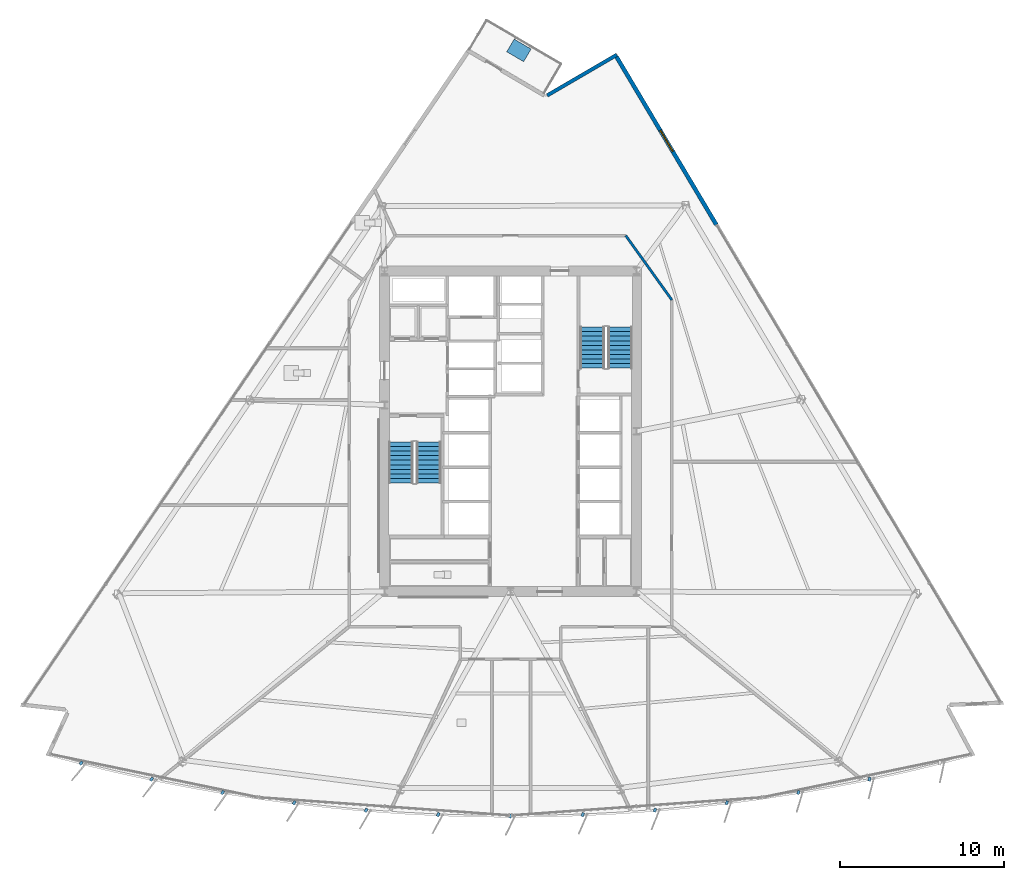
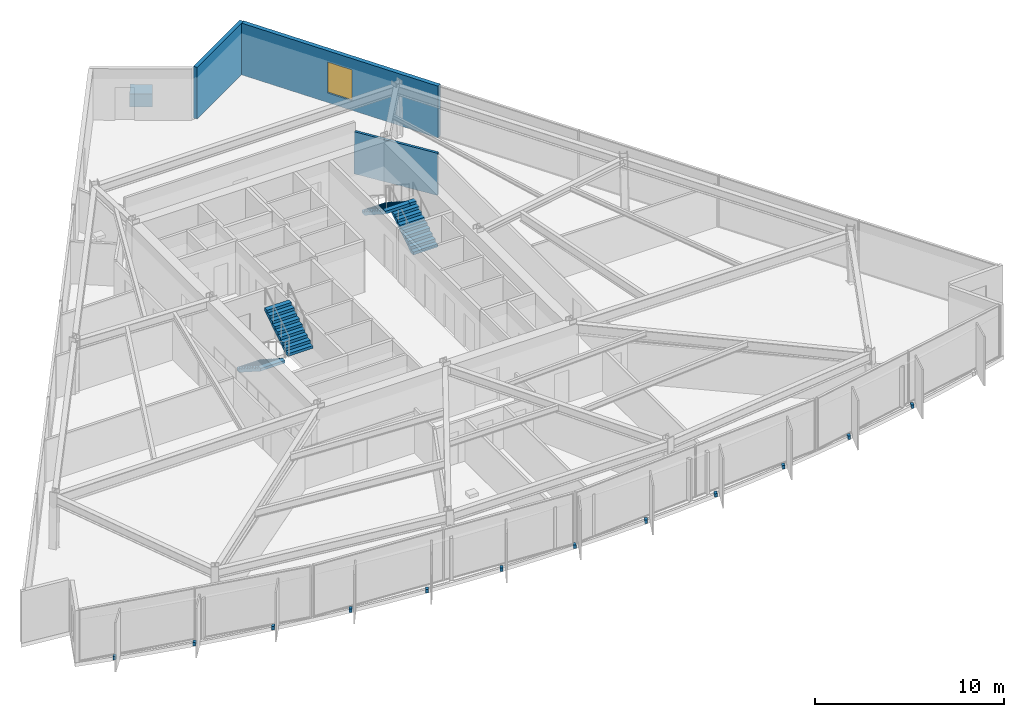
# One storey, part 11 of 18: 13 discrete accessories, 4 stair flights, 3 walls, 1 window, 1 opening, 2 elements without a shape of their own.
"""IFC4 building model written with IfcOpenShell, lengths in metres."""

import ifcopenshell
import ifcopenshell.guid

model = None  # the IFC model being written
_history = None  # IfcOwnerHistory: only IFC2X3 demands one
_inside = {}  # id of a spatial element -> (the spatial element, [elements in it])
_under = {}  # id of a project, library or spatial element -> (it, [spatial elements below it])
_declared = {}  # id of a project -> (the project, [libraries it declares])
_typed = {}  # id of a type object -> (the type object, [elements of that type])
_made_of = {}  # id of a material, layer set ... -> (it, [elements and type objects made of it])


def new_model(schema):
    """Start an empty IFC model of exactly this schema.

    Asked for "IFC4X3", IfcOpenShell would pick the latest addendum, in which some entities
    have other attributes; the version numbers below select the first issue.
    IFC2X3 requires an IfcOwnerHistory on every rooted entity: one is made here for all.
    """
    global model, _history
    if schema == "IFC4X3":
        model = ifcopenshell.file(schema_version=(4, 3, 0, 0))
    else:
        model = ifcopenshell.file(schema=schema)
    _inside.clear()
    _under.clear()
    _declared.clear()
    _typed.clear()
    _made_of.clear()
    _history = None
    if model.schema == "IFC2X3":
        org = make("IfcOrganization", Name="unknown")
        user = make(
            "IfcPersonAndOrganization",
            ThePerson=make("IfcPerson", FamilyName="unknown"),
            TheOrganization=org,
        )
        app = make(
            "IfcApplication",
            ApplicationDeveloper=org,
            Version="unknown",
            ApplicationFullName="unknown",
            ApplicationIdentifier="unknown",
        )
        _history = make(
            "IfcOwnerHistory",
            OwningUser=user,
            OwningApplication=app,
            ChangeAction="ADDED",
            CreationDate=0,
        )
    return model


def make(cls, **values):
    """One entity of the class cls with the attributes given. An attribute that is None is left unset."""
    return model.create_entity(
        cls, **{name: value for name, value in values.items() if value is not None}
    )


def rooted(cls, **values):
    """An entity with a GlobalId (a new one), such as an element, a storey or a relation."""
    return make(cls, GlobalId=ifcopenshell.guid.new(), OwnerHistory=_history, **values)


def si_unit(unit_type, name, prefix=None):
    """IfcSIUnit, for example si_unit("LENGTHUNIT", "METRE", prefix="MILLI")."""
    return make("IfcSIUnit", UnitType=unit_type, Prefix=prefix, Name=name)


def assignment(units):
    """IfcUnitAssignment: the units of a project."""
    return None if units is None else make("IfcUnitAssignment", Units=units)


def point(xyz):
    """IfcCartesianPoint."""
    return None if xyz is None else make("IfcCartesianPoint", Coordinates=xyz)


def direction(xyz):
    """IfcDirection."""
    return None if xyz is None else make("IfcDirection", DirectionRatios=xyz)


def frame(location, z_axis=None, x_axis=None):
    """IfcAxis2Placement3D, a coordinate frame: its origin and axes. An axis left out is left unset."""
    return make(
        "IfcAxis2Placement3D",
        Location=point(location),
        Axis=direction(z_axis),
        RefDirection=direction(x_axis),
    )


def frame_2d(location, x_axis=None):
    """IfcAxis2Placement2D, a coordinate frame in the plane: its origin and x axis."""
    return make(
        "IfcAxis2Placement2D", Location=point(location), RefDirection=direction(x_axis)
    )


def origin():
    """The frame at (0, 0, 0) with its axes left unset."""
    return frame((0.0, 0.0, 0.0))


def origin_2d():
    """The frame at (0, 0) in the plane with its x axis left unset."""
    return frame_2d((0.0, 0.0))


def place(relative_to, where):
    """IfcLocalPlacement: puts the frame where relative to a parent placement (None: the world)."""
    return make(
        "IfcLocalPlacement", PlacementRelTo=relative_to, RelativePlacement=where
    )


def context(
    kind, dimensions, precision=None, world=None, true_north=None, identifier=None
):
    """IfcGeometricRepresentationContext, for example the 3D "Model" context."""
    return make(
        "IfcGeometricRepresentationContext",
        ContextIdentifier=identifier,
        ContextType=kind,
        CoordinateSpaceDimension=dimensions,
        Precision=precision,
        WorldCoordinateSystem=world,
        TrueNorth=true_north,
    )


def subcontext(parent, identifier, kind, view, scale=None):
    """IfcGeometricRepresentationSubContext, for example "Body" below "Model"."""
    return make(
        "IfcGeometricRepresentationSubContext",
        ContextIdentifier=identifier,
        ContextType=kind,
        ParentContext=parent,
        TargetScale=scale,
        TargetView=view,
    )


def project(units=None, contexts=None):
    """IfcProject with its units and contexts."""
    return rooted(
        "IfcProject",
        Name="project",
        RepresentationContexts=contexts,
        UnitsInContext=assignment(units),
    )


def spatial(cls, under=None, at=None, **own):
    """A site, building, storey or space (cls), placed at a placement, below another one or the project."""
    s = rooted(cls, ObjectPlacement=at, **own)
    if under is not None:
        _under.setdefault(under.id(), (under, []))[1].append(s)
    return s


def polyline(points):
    """IfcPolyline through the points."""
    return make("IfcPolyline", Points=[point(p) for p in points])


def profile(cls, at=None, kind="AREA", **sizes):
    """A parametric profile (cls). Its sizes go by their IFC names, for example OverallWidth=200.0."""
    return make(cls, ProfileType=kind, Position=at, **sizes)


def rectangle(**sizes):
    """IfcRectangleProfileDef."""
    return profile("IfcRectangleProfileDef", **sizes)


def outline(outer, holes=None, kind="AREA"):
    """IfcArbitraryClosedProfileDef: a profile drawn as a closed curve; with holes, ...WithVoids."""
    if holes is None:
        return make("IfcArbitraryClosedProfileDef", ProfileType=kind, OuterCurve=outer)
    return make(
        "IfcArbitraryProfileDefWithVoids",
        ProfileType=kind,
        OuterCurve=outer,
        InnerCurves=holes,
    )


def extrude(swept, where, along, depth):
    """IfcExtrudedAreaSolid: the profile swept, set in the frame where, extruded along a direction by depth."""
    return make(
        "IfcExtrudedAreaSolid",
        SweptArea=swept,
        Position=where,
        ExtrudedDirection=direction(along),
        Depth=depth,
    )


def shape(context_of_items, identifier, shape_type, items):
    """IfcShapeRepresentation: the items that make up one representation, for example the "Body"."""
    return make(
        "IfcShapeRepresentation",
        ContextOfItems=context_of_items,
        RepresentationIdentifier=identifier,
        RepresentationType=shape_type,
        Items=items,
    )


def material(Name=None, Category=None):
    """IfcMaterial."""
    return make("IfcMaterial", Name=Name, Category=Category)


def layer(
    of_material, thickness, ventilated=None, Name=None, Category=None, Priority=None
):
    """IfcMaterialLayer: one layer of a wall or slab, of a material (None: an air gap)."""
    return make(
        "IfcMaterialLayer",
        Material=of_material,
        LayerThickness=thickness,
        IsVentilated=ventilated,
        Name=Name,
        Category=Category,
        Priority=Priority,
    )


def layer_set(layers, Name=None):
    """IfcMaterialLayerSet."""
    return make("IfcMaterialLayerSet", MaterialLayers=layers, LayerSetName=Name)


def made_of(thing, what):
    """Note that an element or type object is made of a material, layer set ...; save() writes the relation."""
    if what is not None:
        _made_of.setdefault(what.id(), (what, []))[1].append(thing)
    return thing


def type_object(cls, material=None, **own):
    """A type object (cls), such as IfcWallType, which elements share."""
    return made_of(rooted(cls, **own), material)


def element(
    cls,
    number,
    at=None,
    inside=None,
    cuts=None,
    type_object=None,
    material=None,
    context=None,
    identifier="Body",
    shape_type=None,
    held_by="IfcProductDefinitionShape",
    body=None,
    shapes=None,
    **own,
):
    """One element of the class cls, such as IfcWall. Its Tag is "e" and its number.

    at: its placement. inside: the storey or other place that contains it. cuts: it is an
    opening in that element (IfcRelVoidsElement). A single representation is given by context,
    identifier, shape_type and body (its items); several are given by shapes. held_by: the class
    of the entity that holds the representations. save() writes the other relations.
    """
    e = rooted(cls, Tag="e%d" % number, ObjectPlacement=at, **own)
    if body is not None:
        shapes = [shape(context, identifier, shape_type, body)]
    if shapes is not None:
        e.Representation = make(held_by, Representations=shapes)
    if inside is not None:
        _inside.setdefault(inside.id(), (inside, []))[1].append(e)
    if cuts is not None:
        rooted(
            "IfcRelVoidsElement", RelatingBuildingElement=cuts, RelatedOpeningElement=e
        )
    if type_object is not None:
        _typed.setdefault(type_object.id(), (type_object, []))[1].append(e)
    return made_of(e, material)


def fill(opening, filler):
    """IfcRelFillsElement: the door or window that sits in an opening."""
    return rooted(
        "IfcRelFillsElement",
        RelatingOpeningElement=opening,
        RelatedBuildingElement=filler,
    )


def aggregate(whole, parts):
    """IfcRelAggregates: a whole, such as a stair, and the parts it consists of."""
    return rooted("IfcRelAggregates", RelatingObject=whole, RelatedObjects=parts)


def save(model, path):
    """Write the relations noted so far, then the file.

    IfcRelAggregates (storeys below a building ...), IfcRelContainedInSpatialStructure (elements
    in a storey), IfcRelDefinesByType, IfcRelAssociatesMaterial and IfcRelDeclares: one each for
    every whole, place, type object, material and project.
    """
    for whole, parts in _under.values():
        aggregate(whole, parts)
    for where, things in _inside.values():
        rooted(
            "IfcRelContainedInSpatialStructure",
            RelatedElements=things,
            RelatingStructure=where,
        )
    for kind, things in _typed.values():
        rooted("IfcRelDefinesByType", RelatedObjects=things, RelatingType=kind)
    for what, things in _made_of.values():
        rooted("IfcRelAssociatesMaterial", RelatedObjects=things, RelatingMaterial=what)
    for by, libraries in _declared.values():
        rooted("IfcRelDeclares", RelatingContext=by, RelatedDefinitions=libraries)
    model.write(path)


model = new_model("IFC4")

# Units and contexts
model_context = context("Model", 3, precision=1e-05, world=origin(), true_north=direction((0.0, 1.0)))
body_context = subcontext(model_context, "Body", "Model", "MODEL_VIEW")
ifc_project = project(units=[si_unit("LENGTHUNIT", "METRE"), si_unit("AREAUNIT", "SQUARE_METRE"), si_unit("VOLUMEUNIT", "CUBIC_METRE"), si_unit("PLANEANGLEUNIT", "RADIAN"), si_unit("MASSUNIT", "GRAM", prefix="KILO")], contexts=[model_context])

# Site, building, storey
site_placement = place(None, origin())
site = spatial("IfcSite", under=ifc_project, at=site_placement, CompositionType="ELEMENT")
building_placement = place(site_placement, origin())
building = spatial("IfcBuilding", under=site, at=building_placement, Name="Savorim Split Tower", CompositionType="ELEMENT")
storey_placement = place(building_placement, frame((0.0, 0.0, 40.800048828125)))
storey = spatial("IfcBuildingStorey", under=building, at=storey_placement, Name="L10", CompositionType="ELEMENT", Elevation=40.800048828125)

# Wall
ifc_material_1 = material(Name="Precast concrete C40/50", Category="concrete")
ifc_layer_1 = layer(ifc_material_1, 0.219970703125)
ifc_layer_set_1 = layer_set([ifc_layer_1], Name="WAL-EXT-CRN220")
wall_type_1 = type_object("IfcWallType", Name="WAL-EXT-CRN220", PredefinedType="SOLIDWALL", material=ifc_layer_set_1)
wall_1_placement = place(storey_placement, frame((2.2451171875, 20.9248046875, 0.0), z_axis=(0.0, 0.0, 1.0), x_axis=(0.863967641515, 0.503547330858, 0.0)))
element("IfcWall", 1, at=wall_1_placement, inside=storey, type_object=wall_type_1, Name="L10 Notched Corner Facade Wall NE1", PredefinedType="SOLIDWALL", context=body_context, shape_type="SweptSolid", body=[
    extrude(rectangle(XDim=4.924560546875, YDim=0.219970703125, at=frame_2d((2.46240234375, 0.0))), origin(), (0.0, 0.0, 1.0), 3.349853515625),
])

# Wall, opening, window
ifc_layer_2 = layer(ifc_material_1, 0.25)
ifc_layer_set_2 = layer_set([ifc_layer_2], Name="WAL-EXT-SPN250")
wall_type_2 = type_object("IfcWallType", Name="WAL-EXT-SPN250", PredefinedType="SOLIDWALL", material=ifc_layer_set_2)
wall_2_placement = place(storey_placement, frame((6.483154296875, 23.278076171875, 0.0), z_axis=(0.0, 0.0, 1.0), x_axis=(0.511086421046, -0.859529330635, 0.0)))
wall_2 = element("IfcWall", 2, at=wall_2_placement, inside=storey, type_object=wall_type_2, Name="L10 East Operable Window Pier", PredefinedType="SOLIDWALL", context=body_context, shape_type="SweptSolid", body=[
    extrude(rectangle(XDim=11.93505859375, YDim=0.25, at=frame_2d((5.967529296875, 0.0))), origin(), (0.0, 0.0, 1.0), 3.349853515625),
])
opening_placement = place(wall_2_placement, frame((5.217529296875, 0.0, 0.6201171875)))
opening = element("IfcOpeningElement", 3, at=opening_placement, cuts=wall_2, Name="Opening WN-06", PredefinedType="OPENING", context=body_context, shape_type="SweptSolid", body=[
    extrude(rectangle(XDim=1.5, YDim=2.0, at=frame_2d((0.75, 1.0))), frame((0.0, 0.135009765625, 0.0), z_axis=(0.0, -1.0, 0.0), x_axis=(1.0, 0.0, 0.0)), (0.0, 0.0, 1.0), 0.27001953125),
])
ifc_material_2 = material(Name="Low-E Operable Double Glazing", Category="glass")
window_type = type_object("IfcWindowType", Name="WIN-TWR-1500x2000", PartitioningType="SINGLE_PANEL", PredefinedType="WINDOW", material=ifc_material_2)
window_placement = place(opening_placement, origin())
window = element("IfcWindow", 4, at=window_placement, inside=storey, type_object=window_type, Name="L10 East Operable Ventilation Window", OverallHeight=2.0, OverallWidth=1.5, PartitioningType="SINGLE_PANEL", PredefinedType="WINDOW", context=body_context, shape_type="SweptSolid", body=[
    extrude(rectangle(XDim=1.5, YDim=2.0, at=frame_2d((0.75, 1.0))), frame((0.0, 0.030029296875, 0.0), z_axis=(0.0, -1.0, 0.0), x_axis=(1.0, 0.0, 0.0)), (0.0, 0.0, 1.0), 0.06005859375),
])
fill(opening, window)

# Wall
ifc_material_3 = material(Name="Acoustic Gypsum Partition Board")
ifc_layer_3 = layer(ifc_material_3, 0.14990234375)
ifc_layer_set_3 = layer_set([ifc_layer_3], Name="WAL-PAR-150")
wall_type_3 = type_object("IfcWallType", Name="WAL-PAR-150", PredefinedType="PARTITIONING", material=ifc_layer_set_3)
wall_3_placement = place(storey_placement, frame((7.041015625, 12.360107421875, 0.0), z_axis=(0.0, 0.0, 1.0), x_axis=(0.582449511476, -0.812866881218, 0.0)))
element("IfcWall", 5, at=wall_3_placement, inside=storey, type_object=wall_type_3, Name="L10 Partition W-L10-COR-04", PredefinedType="PARTITIONING", context=body_context, shape_type="SweptSolid", body=[
    extrude(rectangle(XDim=4.840087890625, YDim=0.14990234375, at=frame_2d((2.419921875, 0.0))), origin(), (0.0, 0.0, 1.0), 2.724853515625),
])

# Stair, stair flights
ifc_material_4 = material(Name="Concrete C50/60", Category="concrete")
stair_type = type_object("IfcStairType", Name="STR-DOG-3600", PredefinedType="HALF_TURN_STAIR", material=ifc_material_4)
stair_1_placement = place(storey_placement, origin())
stair_1 = element("IfcStair", 6, at=stair_1_placement, inside=storey, type_object=stair_type, Name="L10 Core Protected Exit Stair ST-1", PredefinedType="HALF_TURN_STAIR")
stair_flight_type = type_object("IfcStairFlightType", Name="SFL-DOG-3600", PredefinedType="STRAIGHT", material=ifc_material_4)
stair_flight_1_placement = place(storey_placement, frame((-6.699951171875, -0.25, 0.0), z_axis=(0.0, 0.0, 1.0), x_axis=(0.0, -1.0, 0.0)))
stair_flight_1 = element("IfcStairFlight", 7, at=stair_flight_1_placement, type_object=stair_flight_type, Name="ST-1 flight 1", NumberOfRisers=10, NumberOfTreads=9, PredefinedType="STRAIGHT", RiserHeight=0.18, TreadLength=0.28, context=body_context, shape_type="SweptSolid", body=[
    extrude(outline(polyline([(0.0, 0.0), (0.0, 0.179931640625), (0.280029296875, 0.179931640625), (0.280029296875, 0.360107421875), (0.56005859375, 0.360107421875), (0.56005859375, 0.5400390625), (0.840087890625, 0.5400390625), (0.840087890625, 0.719970703125), (1.1201171875, 0.719970703125), (1.1201171875, 0.89990234375), (1.39990234375, 0.89990234375), (1.39990234375, 1.080078125), (1.679931640625, 1.080078125), (1.679931640625, 1.260009765625), (1.9599609375, 1.260009765625), (1.9599609375, 1.43994140625), (2.239990234375, 1.43994140625), (2.239990234375, 1.6201171875), (2.52001953125, 1.6201171875), (2.52001953125, 1.800048828125), (2.52001953125, 1.44189453125), (0.277099609375, 0.0), (0.0, 0.0)])), frame((0.0, 0.75, 0.0), z_axis=(0.0, -1.0, 0.0), x_axis=(1.0, 0.0, 0.0)), (0.0, 0.0, 1.0), 1.5),
])
stair_flight_2_placement = place(storey_placement, frame((-5.0, -2.77001953125, 1.800048828125), z_axis=(0.0, 0.0, 1.0), x_axis=(0.0, 1.0, 0.0)))
stair_flight_2 = element("IfcStairFlight", 8, at=stair_flight_2_placement, type_object=stair_flight_type, Name="ST-1 flight 2", NumberOfRisers=10, NumberOfTreads=9, PredefinedType="STRAIGHT", RiserHeight=0.18, TreadLength=0.28, context=body_context, shape_type="SweptSolid", body=[
    extrude(outline(polyline([(0.0, 0.0), (0.0, 0.179931640625), (0.280029296875, 0.179931640625), (0.280029296875, 0.360107421875), (0.56005859375, 0.360107421875), (0.56005859375, 0.5400390625), (0.840087890625, 0.5400390625), (0.840087890625, 0.719970703125), (1.1201171875, 0.719970703125), (1.1201171875, 0.89990234375), (1.39990234375, 0.89990234375), (1.39990234375, 1.080078125), (1.679931640625, 1.080078125), (1.679931640625, 1.260009765625), (1.9599609375, 1.260009765625), (1.9599609375, 1.43994140625), (2.239990234375, 1.43994140625), (2.239990234375, 1.6201171875), (2.52001953125, 1.6201171875), (2.52001953125, 1.800048828125), (2.52001953125, 1.44189453125), (0.277099609375, 0.0), (0.0, 0.0)])), frame((0.0, 0.75, 0.0), z_axis=(0.0, -1.0, 0.0), x_axis=(1.0, 0.0, 0.0)), (0.0, 0.0, 1.0), 1.5),
])
aggregate(stair_1, [stair_flight_1, stair_flight_2])

stair_2_placement = place(storey_placement, origin())
stair_2 = element("IfcStair", 9, at=stair_2_placement, inside=storey, type_object=stair_type, Name="L10 Core Protected Exit Stair ST-2", PredefinedType="HALF_TURN_STAIR")
stair_flight_3_placement = place(storey_placement, frame((6.699951171875, 4.25, 0.0), z_axis=(0.0, 0.0, 1.0), x_axis=(0.0, 1.0, 0.0)))
stair_flight_3 = element("IfcStairFlight", 10, at=stair_flight_3_placement, type_object=stair_flight_type, Name="ST-2 flight 1", NumberOfRisers=10, NumberOfTreads=9, PredefinedType="STRAIGHT", RiserHeight=0.18, TreadLength=0.28, context=body_context, shape_type="SweptSolid", body=[
    extrude(outline(polyline([(0.0, 0.0), (0.0, 0.179931640625), (0.280029296875, 0.179931640625), (0.280029296875, 0.360107421875), (0.56005859375, 0.360107421875), (0.56005859375, 0.5400390625), (0.840087890625, 0.5400390625), (0.840087890625, 0.719970703125), (1.1201171875, 0.719970703125), (1.1201171875, 0.89990234375), (1.39990234375, 0.89990234375), (1.39990234375, 1.080078125), (1.679931640625, 1.080078125), (1.679931640625, 1.260009765625), (1.9599609375, 1.260009765625), (1.9599609375, 1.43994140625), (2.239990234375, 1.43994140625), (2.239990234375, 1.6201171875), (2.52001953125, 1.6201171875), (2.52001953125, 1.800048828125), (2.52001953125, 1.44189453125), (0.277099609375, 0.0), (0.0, 0.0)])), frame((0.0, 0.75, 0.0), z_axis=(0.0, -1.0, 0.0), x_axis=(1.0, 0.0, 0.0)), (0.0, 0.0, 1.0), 1.5),
])
stair_flight_4_placement = place(storey_placement, frame((5.0, 6.77001953125, 1.800048828125), z_axis=(0.0, 0.0, 1.0), x_axis=(0.0, -1.0, 0.0)))
stair_flight_4 = element("IfcStairFlight", 11, at=stair_flight_4_placement, type_object=stair_flight_type, Name="ST-2 flight 2", NumberOfRisers=10, NumberOfTreads=9, PredefinedType="STRAIGHT", RiserHeight=0.18, TreadLength=0.28, context=body_context, shape_type="SweptSolid", body=[
    extrude(outline(polyline([(0.0, 0.0), (0.0, 0.179931640625), (0.280029296875, 0.179931640625), (0.280029296875, 0.360107421875), (0.56005859375, 0.360107421875), (0.56005859375, 0.5400390625), (0.840087890625, 0.5400390625), (0.840087890625, 0.719970703125), (1.1201171875, 0.719970703125), (1.1201171875, 0.89990234375), (1.39990234375, 0.89990234375), (1.39990234375, 1.080078125), (1.679931640625, 1.080078125), (1.679931640625, 1.260009765625), (1.9599609375, 1.260009765625), (1.9599609375, 1.43994140625), (2.239990234375, 1.43994140625), (2.239990234375, 1.6201171875), (2.52001953125, 1.6201171875), (2.52001953125, 1.800048828125), (2.52001953125, 1.44189453125), (0.277099609375, 0.0), (0.0, 0.0)])), frame((0.0, 0.75, 0.0), z_axis=(0.0, -1.0, 0.0), x_axis=(1.0, 0.0, 0.0)), (0.0, 0.0, 1.0), 1.5),
])
aggregate(stair_2, [stair_flight_3, stair_flight_4])

# Discrete accessories
ifc_material_5 = material(Name="Steel S355", Category="steel")
discrete_accessory_type_1 = type_object("IfcDiscreteAccessoryType", Name="ACC-BRK-FIN", PredefinedType="BRACKET", material=ifc_material_5)
for number, where, z_axis, x_axis, name in (
    (12, (-26.241943359375, -19.881591796875, -0.18994140625), (0.0, 0.0, 1.0), (-0.643719022682, -0.765261928909, 0.0), "L10 Fin Slab-Edge Cleat Bracket 01"),
    (13, (-21.935791015625, -20.86767578125, -0.18994140625), (0.0, 0.0, 1.0), (-0.611868076908, -0.790959832394, 0.0), "L10 Fin Slab-Edge Cleat Bracket 02"),
    (14, (-17.593017578125, -21.6767578125, -0.18994140625), (0.0, 0.0, 1.0), (-0.578993757737, -0.815331974414, 0.0), "L10 Fin Slab-Edge Cleat Bracket 03"),
    (15, (-13.220458984375, -22.307373046875, -0.18994140625), (0.0, 0.0, 1.0), (-0.545148321708, -0.838339613366, 0.0), "L10 Fin Slab-Edge Cleat Bracket 04"),
    (16, (-8.825927734375, -22.758544921875, -0.18994140625), (0.0, 0.0, 1.0), (-0.510391336723, -0.859942255851, 0.0), "L10 Fin Slab-Edge Cleat Bracket 05"),
    (17, (-4.416748046875, -23.029541015625, -0.18994140625), (0.0, 0.0, 1.0), (-0.474778051978, -0.880105562623, 0.0), "L10 Fin Slab-Edge Cleat Bracket 06"),
    (18, (0.0, -23.1201171875, -0.18994140625), (0.0, 0.0, 1.0), (-0.438371146789, -0.898794046299, 0.0), "L10 Fin Slab-Edge Cleat Bracket 07"),
    (19, (4.416748046875, -23.029541015625, -0.18994140625), (0.0, 0.0, 1.0), (-0.401230091723, -0.915977299662, 0.0), "L10 Fin Slab-Edge Cleat Bracket 08"),
    (20, (8.825927734375, -22.758544921875, -0.18994140625), (0.0, 0.0, 1.0), (-0.363415461732, -0.931627179817, 0.0), "L10 Fin Slab-Edge Cleat Bracket 09"),
    (21, (13.220458984375, -22.307373046875, -0.18994140625), (0.0, 0.0, 1.0), (-0.324993810493, -0.945716143005, 0.0), "L10 Fin Slab-Edge Cleat Bracket 10"),
    (22, (17.593017578125, -21.6767578125, -0.18994140625), (0.0, 0.0, 1.0), (-0.286026212504, -0.958221793616, 0.0), "L10 Fin Slab-Edge Cleat Bracket 11"),
    (23, (21.935791015625, -20.86767578125, -0.18994140625), (0.0, 0.0, 1.0), (-0.246581250663, -0.969122121727, 0.0), "L10 Fin Slab-Edge Cleat Bracket 12"),
):
    element("IfcDiscreteAccessory", number, at=place(storey_placement, frame(where, z_axis=z_axis, x_axis=x_axis)), inside=storey, type_object=discrete_accessory_type_1, Name=name, PredefinedType="BRACKET", context=body_context, shape_type="SweptSolid", body=[
        extrude(rectangle(XDim=0.239990234375, YDim=0.159912109375, at=origin_2d()), origin(), (0.0, 0.0, 1.0), 0.219970703125),
    ])
ifc_material_6 = material(Name="Architectural Precast Planter Concrete C40/50", Category="concrete")
discrete_accessory_type_2 = type_object("IfcDiscreteAccessoryType", Name="ACC-PLN-TREE", PredefinedType="USERDEFINED", material=ifc_material_6)
discrete_accessory_placement = place(storey_placement, frame((0.515625, 23.674072265625, 0.0), z_axis=(0.0, 0.0, 1.0), x_axis=(-0.862125693233, 0.506694473098, 0.0)))
element("IfcDiscreteAccessory", 24, at=discrete_accessory_placement, inside=storey, type_object=discrete_accessory_type_2, Name="L10 Balcony Precast Tree Planter N", ObjectType="PLANTER", PredefinedType="USERDEFINED", context=body_context, shape_type="SweptSolid", body=[
    extrude(rectangle(XDim=1.199951171875, YDim=0.89990234375, at=origin_2d()), origin(), (0.0, 0.0, 1.0), 0.85009765625),
])

save(model, "model.ifc")
